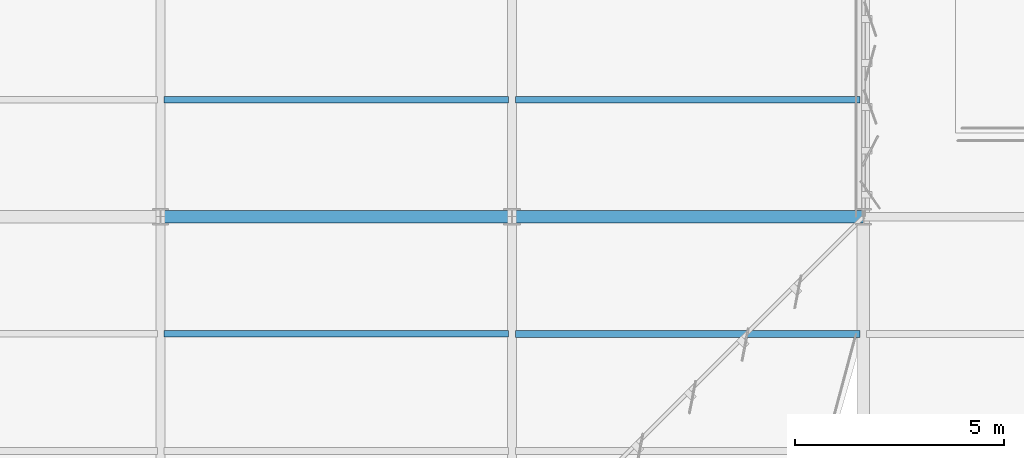
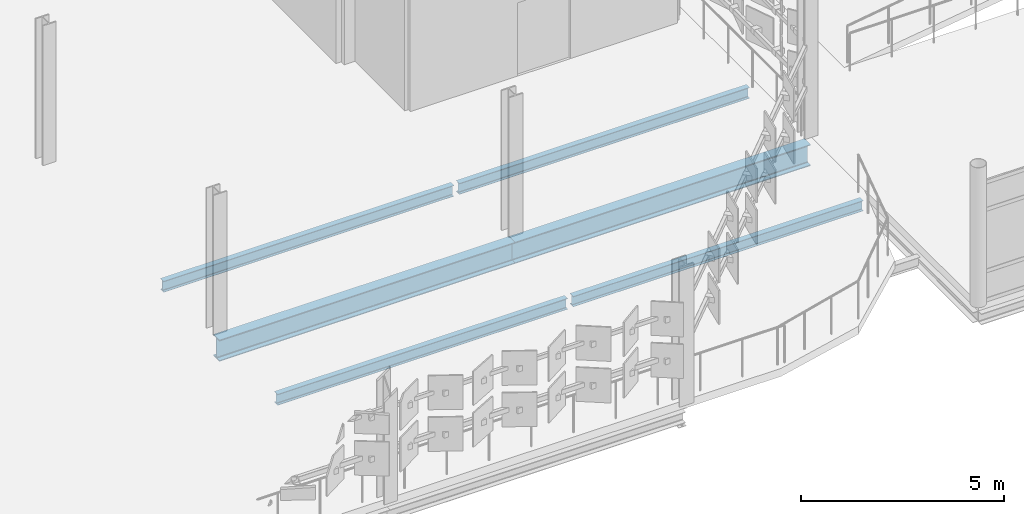
# One storey, part 107 of 163: 6 beams.
"""IFC4 building model written with IfcOpenShell, lengths in metres."""

from ifc_helpers import new_model, si_unit, direction, frame, origin, origin_2d, place, context, subcontext, project, spatial, i_section, extrude, material, material_profile, profile_set, type_object, element, save


model = new_model("IFC4")

# Units and contexts
model_context = context("Model", 3, precision=1e-05, world=origin(), true_north=direction((0.0, 1.0)))
body_context = subcontext(model_context, "Body", "Model", "MODEL_VIEW")
ifc_project = project(units=[si_unit("LENGTHUNIT", "METRE"), si_unit("AREAUNIT", "SQUARE_METRE"), si_unit("VOLUMEUNIT", "CUBIC_METRE"), si_unit("PLANEANGLEUNIT", "RADIAN"), si_unit("MASSUNIT", "GRAM", prefix="KILO")], contexts=[model_context])

# Site, building, storey
site_placement = place(None, origin())
site = spatial("IfcSite", under=ifc_project, at=site_placement, CompositionType="ELEMENT")
building_placement = place(site_placement, origin())
building = spatial("IfcBuilding", under=site, at=building_placement, Name="Qalvenar Corner Mobility Hub", CompositionType="ELEMENT")
storey_placement = place(building_placement, frame((0.0, 0.0, 4.800048828125)))
storey = spatial("IfcBuildingStorey", under=building, at=storey_placement, Name="L01", CompositionType="ELEMENT", Elevation=4.800048828125)

# Beams
ifc_material = material(Name="Steel S355", Category="steel")
ifc_material_profile_1 = material_profile(ifc_material, i_section(OverallWidth=0.300048828125, OverallDepth=0.639892578125, WebThickness=0.013427734375, FlangeThickness=0.02587890625, FilletRadius=0.027099609375, at=origin_2d()), Name="HEA650")
ifc_profile_set_1 = profile_set([ifc_material_profile_1], Name="Steel S355")
beam_type_1 = type_object("IfcBeamType", Name="BM-HEA650", PredefinedType="BEAM", material=ifc_profile_set_1)
beam_1_placement = place(storey_placement, frame((126.0, 75.60009765625, -0.56005859375), z_axis=(1.0, 0.0, 0.0), x_axis=(0.0, 1.0, 0.0)))
element("IfcBeam", 1, at=beam_1_placement, inside=storey, type_object=beam_type_1, Name="Primary Steel Girder GX-1272", PredefinedType="BEAM", context=body_context, shape_type="SweptSolid", body=[
    extrude(i_section(OverallWidth=0.300048828125, OverallDepth=0.639892578125, WebThickness=0.013427734375, FlangeThickness=0.02587890625, FilletRadius=0.027099609375, at=origin_2d()), origin(), (0.0, 0.0, 1.0), 8.39990234375),
])
beam_2_placement = place(storey_placement, frame((134.39990234375, 75.60009765625, -0.56005859375), z_axis=(1.0, 0.0, 0.0), x_axis=(0.0, 1.0, 0.0)))
element("IfcBeam", 2, at=beam_2_placement, inside=storey, type_object=beam_type_1, Name="Primary Steel Girder GX-1273", PredefinedType="BEAM", context=body_context, shape_type="SweptSolid", body=[
    extrude(i_section(OverallWidth=0.300048828125, OverallDepth=0.639892578125, WebThickness=0.013427734375, FlangeThickness=0.02587890625, FilletRadius=0.027099609375, at=origin_2d()), origin(), (0.0, 0.0, 1.0), 8.400146484375),
])
ifc_material_profile_2 = material_profile(ifc_material, i_section(OverallWidth=0.1650390625, OverallDepth=0.31005859375, WebThickness=0.005859375, FlangeThickness=0.009765625, FilletRadius=0.011962890625, at=origin_2d()), Name="W310x38.7")
ifc_profile_set_2 = profile_set([ifc_material_profile_2], Name="Steel S355")
beam_type_2 = type_object("IfcBeamType", Name="BM-JST310", PredefinedType="JOIST", material=ifc_profile_set_2)
beam_3_placement = place(storey_placement, frame((134.47802734375, 72.800048828125, -0.39501953125), z_axis=(1.0, 0.0, 0.0), x_axis=(0.0, 1.0, 0.0)))
element("IfcBeam", 3, at=beam_3_placement, inside=storey, type_object=beam_type_2, Name="Composite Floor Joist J-1499", PredefinedType="JOIST", context=body_context, shape_type="SweptSolid", body=[
    extrude(i_section(OverallWidth=0.1650390625, OverallDepth=0.31005859375, WebThickness=0.005859375, FlangeThickness=0.009765625, FilletRadius=0.011962890625, at=origin_2d()), origin(), (0.0, 0.0, 1.0), 8.243896484375),
])
ifc_material_profile_3 = material_profile(ifc_material, i_section(OverallWidth=0.159912109375, OverallDepth=0.330078125, WebThickness=0.007568359375, FlangeThickness=0.011474609375, FilletRadius=0.01806640625, at=origin_2d()), Name="IPE330")
ifc_profile_set_3 = profile_set([ifc_material_profile_3], Name="Steel S355")
beam_type_3 = type_object("IfcBeamType", Name="BM-JST330", PredefinedType="JOIST", material=ifc_profile_set_3)
for number, where, z_axis, x_axis, name in (
    (4, (126.077880859375, 72.800048828125, -0.405029296875), (1.0, 0.0, 0.0), (0.0, 1.0, 0.0), "Composite Floor Joist J-1449"),
    (5, (126.077880859375, 78.39990234375, -0.405029296875), (1.0, 0.0, 0.0), (0.0, 1.0, 0.0), "Composite Floor Joist J-1450"),
):
    element("IfcBeam", number, at=place(storey_placement, frame(where, z_axis=z_axis, x_axis=x_axis)), inside=storey, type_object=beam_type_3, Name=name, PredefinedType="JOIST", context=body_context, shape_type="SweptSolid", body=[
        extrude(i_section(OverallWidth=0.159912109375, OverallDepth=0.330078125, WebThickness=0.007568359375, FlangeThickness=0.011474609375, FilletRadius=0.01806640625, at=origin_2d()), origin(), (0.0, 0.0, 1.0), 8.244140625),
    ])
beam_4_placement = place(storey_placement, frame((134.47802734375, 78.39990234375, -0.405029296875), z_axis=(1.0, 0.0, 0.0), x_axis=(0.0, 1.0, 0.0)))
element("IfcBeam", 6, at=beam_4_placement, inside=storey, type_object=beam_type_3, Name="Composite Floor Joist J-1460", PredefinedType="JOIST", context=body_context, shape_type="SweptSolid", body=[
    extrude(i_section(OverallWidth=0.159912109375, OverallDepth=0.330078125, WebThickness=0.007568359375, FlangeThickness=0.011474609375, FilletRadius=0.01806640625, at=origin_2d()), origin(), (0.0, 0.0, 1.0), 8.243896484375),
])

save(model, "model.ifc")
